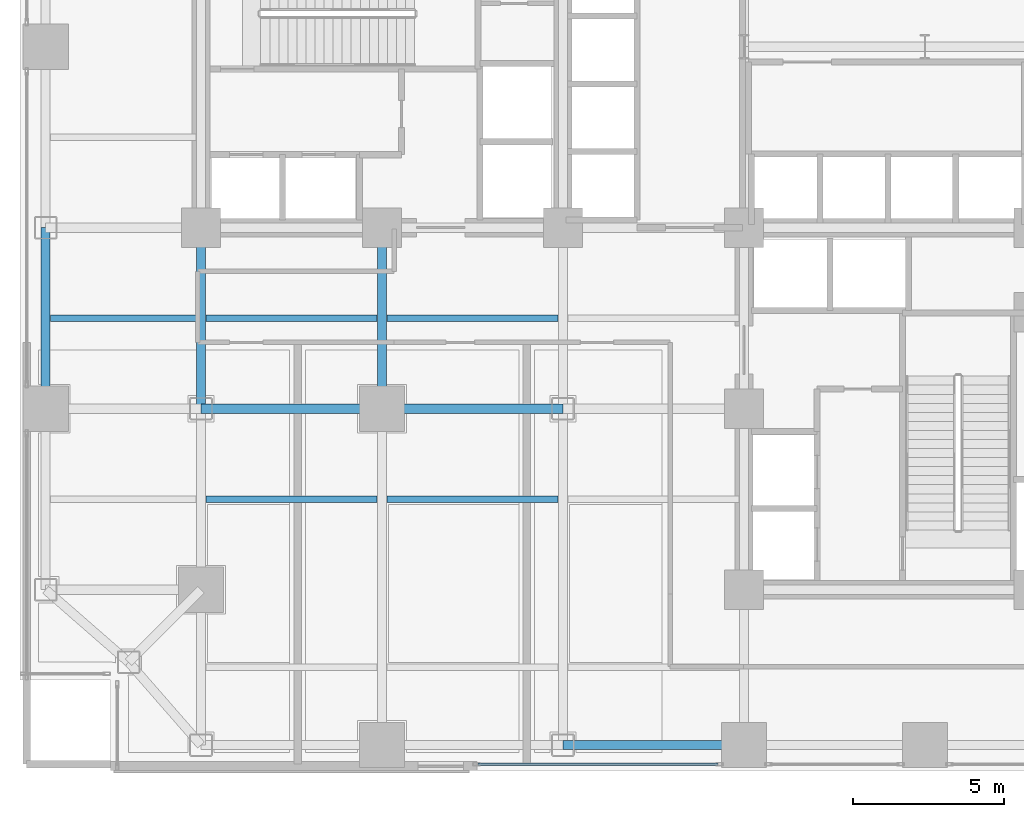
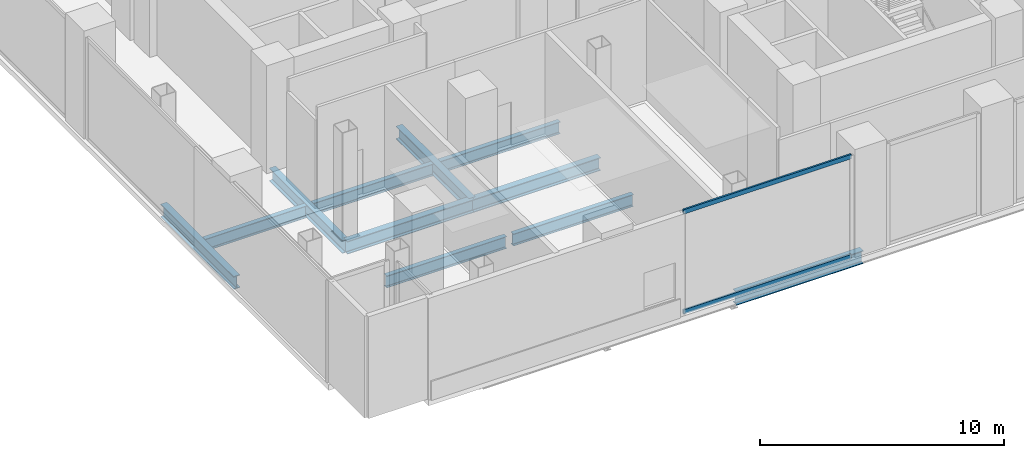
# One storey, part 4 of 28: 11 beams, 2 members, 1 element without a shape of its own.
"""IFC4 building model written with IfcOpenShell, lengths in metres."""

from ifc_helpers import new_model, si_unit, direction, frame, origin, origin_2d, place, context, subcontext, project, spatial, hollow_rectangle, i_section, extrude, material, layer, layer_set, material_profile, profile_set, type_object, element, aggregate, save


model = new_model("IFC4")

# Units and contexts
model_context = context("Model", 3, precision=1e-05, world=origin(), true_north=direction((0.0, 1.0)))
body_context = subcontext(model_context, "Body", "Model", "MODEL_VIEW")
ifc_project = project(units=[si_unit("LENGTHUNIT", "METRE"), si_unit("AREAUNIT", "SQUARE_METRE"), si_unit("VOLUMEUNIT", "CUBIC_METRE"), si_unit("PLANEANGLEUNIT", "RADIAN"), si_unit("MASSUNIT", "GRAM", prefix="KILO"), si_unit("THERMODYNAMICTEMPERATUREUNIT", "KELVIN"), si_unit("POWERUNIT", "WATT")], contexts=[model_context])

# Site, building, storey
site_placement = place(None, origin())
site = spatial("IfcSite", under=ifc_project, at=site_placement, CompositionType="ELEMENT")
building_placement = place(site_placement, origin())
building = spatial("IfcBuilding", under=site, at=building_placement, Name="Svarakhadi Broadcast Tower", CompositionType="ELEMENT")
storey_placement = place(building_placement, frame((0.0, 0.0, 11.10009765625)))
storey = spatial("IfcBuildingStorey", under=building, at=storey_placement, Name="L02", CompositionType="ELEMENT", Elevation=11.10009765625)

# Beams
ifc_material_1 = material(Name="Steel S355J2 (IS 2062 E350C)", Category="steel")
ifc_material_profile_1 = material_profile(ifc_material_1, i_section(OverallWidth=0.219970703125, OverallDepth=0.60009765625, WebThickness=0.011962890625, FlangeThickness=0.01904296875, FilletRadius=0.02392578125, at=origin_2d()), Name="NPB 600x220x122")
ifc_profile_set_1 = profile_set([ifc_material_profile_1], Name="Steel S355J2 (IS 2062 E350C)")
beam_type_1 = type_object("IfcBeamType", Name="Beam_NPB600", PredefinedType="BEAM", material=ifc_profile_set_1)
beam_placement = place(storey_placement, frame((1.010009765625, 15.0, -0.5751953125), z_axis=(1.0, 0.0, 0.0), x_axis=(0.0, 1.0, 0.0)))
element("IfcBeam", 1, at=beam_placement, inside=storey, type_object=beam_type_1, Name="L02 Secondary Composite Beam SB002", PredefinedType="BEAM", context=body_context, shape_type="SweptSolid", body=[
    extrude(i_section(OverallWidth=0.219970703125, OverallDepth=0.60009765625, WebThickness=0.011962890625, FlangeThickness=0.01904296875, FilletRadius=0.02392578125, at=origin_2d()), origin(), (0.0, 0.0, 1.0), 4.830078125),
])
for number, where, z_axis, x_axis, name in (
    (2, (6.159912109375, 9.0, -0.5751953125), (1.0, 0.0, 0.0), (0.0, 1.0, 0.0), "L02 Secondary Composite Beam SB008"),
    (3, (6.159912109375, 15.0, -0.5751953125), (1.0, 0.0, 0.0), (0.0, 1.0, 0.0), "L02 Secondary Composite Beam SB009"),
    (4, (12.159912109375, 9.0, -0.5751953125), (1.0, 0.0, 0.0), (0.0, 1.0, 0.0), "L02 Secondary Composite Beam SB011"),
    (5, (12.159912109375, 15.0, -0.5751953125), (1.0, 0.0, 0.0), (0.0, 1.0, 0.0), "L02 Secondary Composite Beam SB012"),
):
    element("IfcBeam", number, at=place(storey_placement, frame(where, z_axis=z_axis, x_axis=x_axis)), inside=storey, type_object=beam_type_1, Name=name, PredefinedType="BEAM", context=body_context, shape_type="SweptSolid", body=[
        extrude(i_section(OverallWidth=0.219970703125, OverallDepth=0.60009765625, WebThickness=0.011962890625, FlangeThickness=0.01904296875, FilletRadius=0.02392578125, at=origin_2d()), origin(), (0.0, 0.0, 1.0), 5.68017578125),
    ])

# Curtain wall, members
ifc_material_2 = material(Name="Anodised Bronze Aluminium AA 6063-T6", Category="aluminium")
ifc_layer = layer(ifc_material_2, 0.25)
ifc_layer_set = layer_set([ifc_layer], Name="Anodised Bronze Aluminium AA 6063-T6")
curtain_wall_type = type_object("IfcCurtainWallType", Name="CW_Sys_01", PredefinedType="NOTDEFINED", material=ifc_layer_set)
curtain_wall_placement = place(storey_placement, origin())
curtain_wall = element("IfcCurtainWall", 6, at=curtain_wall_placement, inside=storey, type_object=curtain_wall_type, Name="L02 South Curtain Wall 11 Bay 5", PredefinedType="NOTDEFINED")
ifc_material_profile_2 = material_profile(ifc_material_2, hollow_rectangle(XDim=0.0849609375, YDim=0.219970703125, WallThickness=0.0048828125, at=origin_2d()), Name="ALU TRANSOM 220x85x5")
ifc_profile_set_2 = profile_set([ifc_material_profile_2], Name="Anodised Bronze Aluminium AA 6063-T6")
member_type = type_object("IfcMemberType", Name="CW_Sys_01_Trn", PredefinedType="USERDEFINED", material=ifc_profile_set_2)
member_1_placement = place(storey_placement, frame((23.135009765625, 0.219970703125, 0.04248046875), z_axis=(-1.0, 0.0, 0.0), x_axis=(0.0, -1.0, 0.0)))
member_1 = element("IfcMember", 7, at=member_1_placement, type_object=member_type, Name="CW-01 transom 1.1", ObjectType="TRANSOM", PredefinedType="USERDEFINED", context=body_context, shape_type="SweptSolid", body=[
    extrude(hollow_rectangle(XDim=0.0849609375, YDim=0.219970703125, WallThickness=0.0048828125, at=origin_2d()), origin(), (0.0, 0.0, 1.0), 7.949951171875),
])
member_2_placement = place(storey_placement, frame((23.135009765625, 0.219970703125, 5.057373046875), z_axis=(-1.0, 0.0, 0.0), x_axis=(0.0, -1.0, 0.0)))
member_2 = element("IfcMember", 8, at=member_2_placement, type_object=member_type, Name="CW-01 transom 1.2", ObjectType="TRANSOM", PredefinedType="USERDEFINED", context=body_context, shape_type="SweptSolid", body=[
    extrude(hollow_rectangle(XDim=0.0849609375, YDim=0.219970703125, WallThickness=0.0048828125, at=origin_2d()), origin(), (0.0, 0.0, 1.0), 7.949951171875),
])
aggregate(curtain_wall, [member_1, member_2])

# Beams
ifc_material_profile_3 = material_profile(ifc_material_1, i_section(OverallWidth=0.300048828125, OverallDepth=0.64990234375, WebThickness=0.01611328125, FlangeThickness=0.031005859375, FilletRadius=0.027099609375, at=origin_2d()), Name="WPB 650x300x225")
ifc_profile_set_3 = profile_set([ifc_material_profile_3], Name="Steel S355J2 (IS 2062 E350C)")
beam_type_2 = type_object("IfcBeamType", Name="Girder_WPB650", PredefinedType="USERDEFINED", material=ifc_profile_set_3)
for number, where, z_axis, x_axis, name in (
    (9, (18.0, 0.85009765625, -0.60009765625), (1.0, 0.0, 0.0), (0.0, 1.0, 0.0), "L02 Primary E-W Girder G006"),
    (10, (6.0, 12.0, -0.60009765625), (1.0, 0.0, 0.0), (0.0, 1.0, 0.0), "L02 Primary E-W Girder G015"),
    (11, (12.0, 12.0, -0.60009765625), (1.0, 0.0, 0.0), (0.0, 1.0, 0.0), "L02 Primary E-W Girder G016"),
    (12, (0.85009765625, 12.0, -0.60009765625), (0.0, 1.0, 0.0), (-1.0, 0.0, 0.0), "L02 Primary N-S Girder G045"),
    (13, (6.0, 12.0, -0.60009765625), (0.0, 1.0, 0.0), (-1.0, 0.0, 0.0), "L02 Primary N-S Girder G052"),
    (14, (12.0, 12.0, -0.60009765625), (0.0, 1.0, 0.0), (-1.0, 0.0, 0.0), "L02 Primary N-S Girder G058"),
):
    element("IfcBeam", number, at=place(storey_placement, frame(where, z_axis=z_axis, x_axis=x_axis)), inside=storey, type_object=beam_type_2, Name=name, ObjectType="GIRDER", PredefinedType="USERDEFINED", context=body_context, shape_type="SweptSolid", body=[
        extrude(i_section(OverallWidth=0.300048828125, OverallDepth=0.64990234375, WebThickness=0.01611328125, FlangeThickness=0.031005859375, FilletRadius=0.027099609375, at=origin_2d()), origin(), (0.0, 0.0, 1.0), 6.0),
    ])

save(model, "model.ifc")
